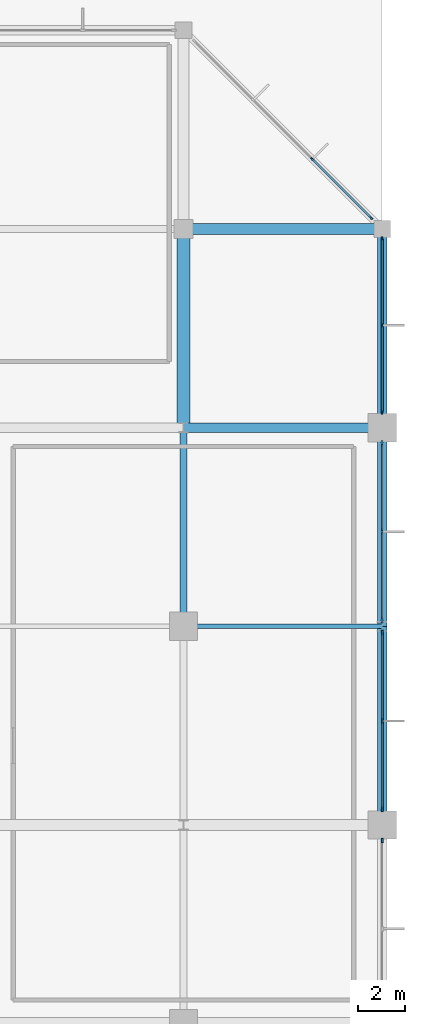
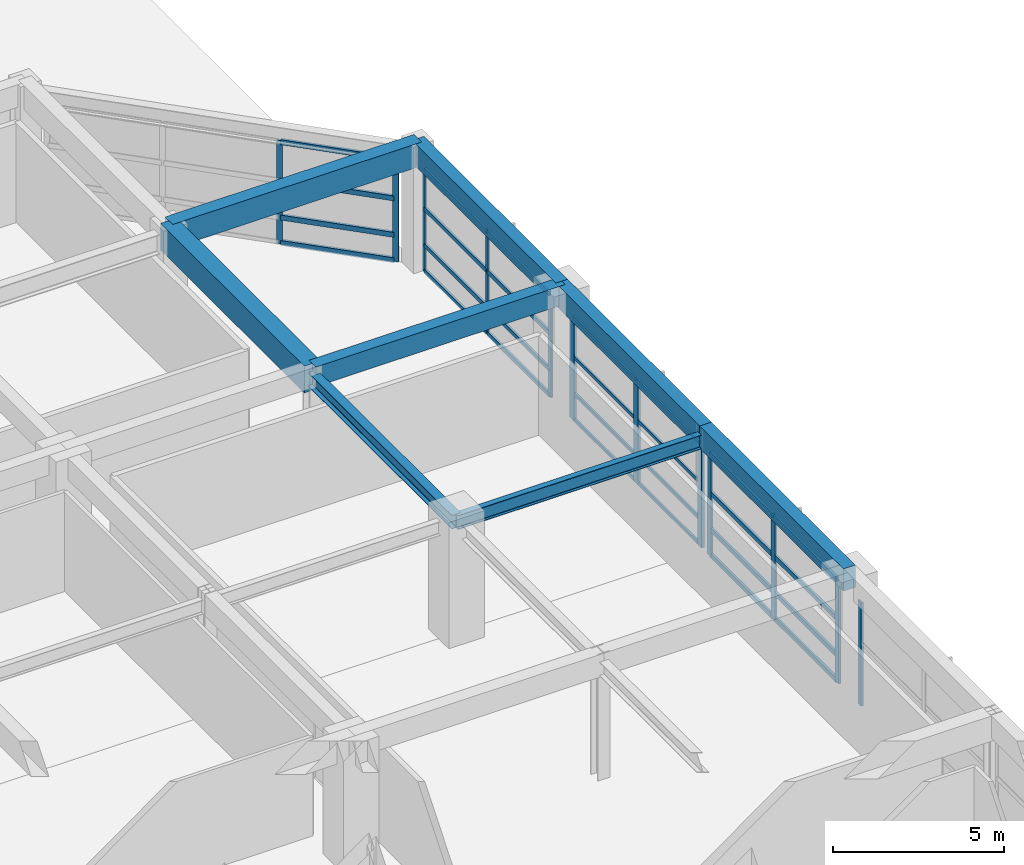
# One storey, part 33 of 60: 40 members, 8 beams, 5 elements without a shape of their own.
"""IFC4 building model written with IfcOpenShell, lengths in metres."""

from ifc_helpers import new_model, si_unit, direction, frame, origin, origin_2d, place, context, subcontext, project, spatial, rectangle, i_section, extrude, material, material_profile, profile_set, type_object, element, aggregate, save


model = new_model("IFC4")

# Units and contexts
model_context = context("Model", 3, precision=1e-05, world=origin(), true_north=direction((0.0, 1.0)))
body_context = subcontext(model_context, "Body", "Model", "MODEL_VIEW")
ifc_project = project(units=[si_unit("LENGTHUNIT", "METRE"), si_unit("AREAUNIT", "SQUARE_METRE"), si_unit("VOLUMEUNIT", "CUBIC_METRE"), si_unit("PLANEANGLEUNIT", "RADIAN"), si_unit("MASSUNIT", "GRAM", prefix="KILO")], contexts=[model_context])

# Site, building, storey
site_placement = place(None, origin())
site = spatial("IfcSite", under=ifc_project, at=site_placement, CompositionType="ELEMENT")
building_placement = place(site_placement, origin())
building = spatial("IfcBuilding", under=site, at=building_placement, Name="Xuanlan Plaza Opera House", CompositionType="ELEMENT")
storey_placement = place(building_placement, frame((0.0, 0.0, 9.89990234375)))
storey = spatial("IfcBuildingStorey", under=building, at=storey_placement, Name="L02", CompositionType="ELEMENT", Elevation=9.89990234375)

# Curtain wall, members
ifc_material_1 = material(Name="Anodised Aluminium 6063-T6 and Low-E Glass", Category="aluminium")
curtain_wall_type_1 = type_object("IfcCurtainWallType", Name="ENV-CW-CW-03", PredefinedType="USERDEFINED", material=ifc_material_1)
curtain_wall_1_placement = place(storey_placement, origin())
curtain_wall_1 = element("IfcCurtainWall", 1, at=curtain_wall_1_placement, inside=storey, type_object=curtain_wall_type_1, Name="Unitised Curtain Wall L02-027", ObjectType="UNITISED CURTAIN WALL", PredefinedType="USERDEFINED")
ifc_material_2 = material(Name="Anodised Aluminium 6063-T6", Category="aluminium")
ifc_material_profile_1 = material_profile(ifc_material_2, rectangle(XDim=0.06494140625, YDim=0.159912109375, at=origin_2d()), Name="ALU-M 65x160")
ifc_profile_set_1 = profile_set([ifc_material_profile_1], Name="Anodised Aluminium 6063-T6")
member_type_1 = type_object("IfcMemberType", Name="ENV-CWM-01", PredefinedType="MULLION", material=ifc_profile_set_1)
member_1_placement = place(storey_placement, frame((168.0, 84.652587890625, 0.0), z_axis=(0.0, 0.0, 1.0), x_axis=(-1.0, 0.0, 0.0)))
member_1 = element("IfcMember", 2, at=member_1_placement, type_object=member_type_1, Name="CW-03 mullion 1", PredefinedType="MULLION", context=body_context, shape_type="SweptSolid", body=[
    extrude(rectangle(XDim=0.06494140625, YDim=0.159912109375, at=origin_2d()), origin(), (0.0, 0.0, 1.0), 3.68017578125),
])
member_2_placement = place(storey_placement, frame((168.0, 88.324951171875, 0.0), z_axis=(0.0, 0.0, 1.0), x_axis=(-1.0, 0.0, 0.0)))
member_2 = element("IfcMember", 3, at=member_2_placement, type_object=member_type_1, Name="CW-03 mullion 2", PredefinedType="MULLION", context=body_context, shape_type="SweptSolid", body=[
    extrude(rectangle(XDim=0.06494140625, YDim=0.159912109375, at=origin_2d()), origin(), (0.0, 0.0, 1.0), 3.68017578125),
])
member_3_placement = place(storey_placement, frame((168.0, 91.99755859375, 0.0), z_axis=(0.0, 0.0, 1.0), x_axis=(-1.0, 0.0, 0.0)))
member_3 = element("IfcMember", 4, at=member_3_placement, type_object=member_type_1, Name="CW-03 mullion 3", PredefinedType="MULLION", context=body_context, shape_type="SweptSolid", body=[
    extrude(rectangle(XDim=0.06494140625, YDim=0.159912109375, at=origin_2d()), origin(), (0.0, 0.0, 1.0), 3.68017578125),
])

curtain_wall_type_2 = type_object("IfcCurtainWallType", Name="ENV-CW-CW-04", PredefinedType="USERDEFINED", material=ifc_material_1)
curtain_wall_2_placement = place(storey_placement, origin())
curtain_wall_2 = element("IfcCurtainWall", 5, at=curtain_wall_2_placement, inside=storey, type_object=curtain_wall_type_2, Name="Unitised Curtain Wall L02-028", ObjectType="UNITISED CURTAIN WALL", PredefinedType="USERDEFINED")
ifc_material_profile_2 = material_profile(ifc_material_2, rectangle(XDim=0.070068359375, YDim=0.179931640625, at=origin_2d()), Name="ALU-M 70x180")
ifc_profile_set_2 = profile_set([ifc_material_profile_2], Name="Anodised Aluminium 6063-T6")
member_type_2 = type_object("IfcMemberType", Name="ENV-CWM-02", PredefinedType="MULLION", material=ifc_profile_set_2)
member_4_placement = place(storey_placement, frame((167.5263671875, 92.873779296875, 0.0), z_axis=(0.0, 0.0, 1.0), x_axis=(-0.707106781187, -0.707106781187, 0.0)))
member_4 = element("IfcMember", 6, at=member_4_placement, type_object=member_type_2, Name="CW-04 mullion 1", PredefinedType="MULLION", context=body_context, shape_type="SweptSolid", body=[
    extrude(rectangle(XDim=0.070068359375, YDim=0.179931640625, at=origin_2d()), origin(), (0.0, 0.0, 1.0), 3.68017578125),
])
member_5_placement = place(storey_placement, frame((165.05029296875, 95.349609375, 0.0), z_axis=(0.0, 0.0, 1.0), x_axis=(-0.707106781187, -0.707106781187, 0.0)))
member_5 = element("IfcMember", 7, at=member_5_placement, type_object=member_type_2, Name="CW-04 mullion 2", PredefinedType="MULLION", context=body_context, shape_type="SweptSolid", body=[
    extrude(rectangle(XDim=0.070068359375, YDim=0.179931640625, at=origin_2d()), origin(), (0.0, 0.0, 1.0), 3.68017578125),
])

# Curtain wall, member
curtain_wall_3_placement = place(storey_placement, origin())
curtain_wall_3 = element("IfcCurtainWall", 8, at=curtain_wall_3_placement, inside=storey, type_object=curtain_wall_type_2, Name="Unitised Curtain Wall L02-024", ObjectType="UNITISED CURTAIN WALL", PredefinedType="USERDEFINED")
ifc_material_profile_3 = material_profile(ifc_material_2, rectangle(XDim=0.074951171875, YDim=0.199951171875, at=origin_2d()), Name="ALU-M 75x200")
ifc_profile_set_3 = profile_set([ifc_material_profile_3], Name="Anodised Aluminium 6063-T6")
member_type_3 = type_object("IfcMemberType", Name="ENV-CWM-03", PredefinedType="MULLION", material=ifc_profile_set_3)
member_6_placement = place(storey_placement, frame((168.0, 66.54248046875, 0.0), z_axis=(0.0, 0.0, 1.0), x_axis=(-1.0, 0.0, 0.0)))
member_6 = element("IfcMember", 9, at=member_6_placement, type_object=member_type_3, Name="CW-04 mullion 3", PredefinedType="MULLION", context=body_context, shape_type="SweptSolid", body=[
    extrude(rectangle(XDim=0.074951171875, YDim=0.199951171875, at=origin_2d()), origin(), (0.0, 0.0, 1.0), 3.68017578125),
])
aggregate(curtain_wall_3, [member_6])

# Curtain wall, members
curtain_wall_type_3 = type_object("IfcCurtainWallType", Name="ENV-CW-CW-01", PredefinedType="USERDEFINED", material=ifc_material_1)
curtain_wall_4_placement = place(storey_placement, origin())
curtain_wall_4 = element("IfcCurtainWall", 10, at=curtain_wall_4_placement, inside=storey, type_object=curtain_wall_type_3, Name="Unitised Curtain Wall L02-025", ObjectType="UNITISED CURTAIN WALL", PredefinedType="USERDEFINED")
ifc_material_profile_4 = material_profile(ifc_material_2, rectangle(XDim=0.080078125, YDim=0.219970703125, at=origin_2d()), Name="ALU-M 80x220")
ifc_profile_set_4 = profile_set([ifc_material_profile_4], Name="Anodised Aluminium 6063-T6")
member_type_4 = type_object("IfcMemberType", Name="ENV-CWM-04", PredefinedType="MULLION", material=ifc_profile_set_4)
member_7_placement = place(storey_placement, frame((168.0, 67.860107421875, 0.0), z_axis=(0.0, 0.0, 1.0), x_axis=(-1.0, 0.0, 0.0)))
member_7 = element("IfcMember", 11, at=member_7_placement, type_object=member_type_4, Name="CW-01 mullion 1", PredefinedType="MULLION", context=body_context, shape_type="SweptSolid", body=[
    extrude(rectangle(XDim=0.080078125, YDim=0.219970703125, at=origin_2d()), origin(), (0.0, 0.0, 1.0), 3.68017578125),
])
member_8_placement = place(storey_placement, frame((168.0, 71.596435546875, 0.0), z_axis=(0.0, 0.0, 1.0), x_axis=(-1.0, 0.0, 0.0)))
member_8 = element("IfcMember", 12, at=member_8_placement, type_object=member_type_4, Name="CW-01 mullion 2", PredefinedType="MULLION", context=body_context, shape_type="SweptSolid", body=[
    extrude(rectangle(XDim=0.080078125, YDim=0.219970703125, at=origin_2d()), origin(), (0.0, 0.0, 1.0), 3.68017578125),
])
member_9_placement = place(storey_placement, frame((168.0, 75.3330078125, 0.0), z_axis=(0.0, 0.0, 1.0), x_axis=(-1.0, 0.0, 0.0)))
member_9 = element("IfcMember", 13, at=member_9_placement, type_object=member_type_4, Name="CW-01 mullion 3", PredefinedType="MULLION", context=body_context, shape_type="SweptSolid", body=[
    extrude(rectangle(XDim=0.080078125, YDim=0.219970703125, at=origin_2d()), origin(), (0.0, 0.0, 1.0), 3.68017578125),
])

curtain_wall_type_4 = type_object("IfcCurtainWallType", Name="ENV-CW-CW-02", PredefinedType="USERDEFINED", material=ifc_material_1)
curtain_wall_5_placement = place(storey_placement, origin())
curtain_wall_5 = element("IfcCurtainWall", 14, at=curtain_wall_5_placement, inside=storey, type_object=curtain_wall_type_4, Name="Unitised Curtain Wall L02-026", ObjectType="UNITISED CURTAIN WALL", PredefinedType="USERDEFINED")
ifc_material_profile_5 = material_profile(ifc_material_2, rectangle(XDim=0.090087890625, YDim=0.25, at=origin_2d()), Name="ALU-M 90x250")
ifc_profile_set_5 = profile_set([ifc_material_profile_5], Name="Anodised Aluminium 6063-T6")
member_type_5 = type_object("IfcMemberType", Name="ENV-CWM-05", PredefinedType="MULLION", material=ifc_profile_set_5)
member_10_placement = place(storey_placement, frame((168.0, 75.8720703125, 0.0), z_axis=(0.0, 0.0, 1.0), x_axis=(-1.0, 0.0, 0.0)))
member_10 = element("IfcMember", 15, at=member_10_placement, type_object=member_type_5, Name="CW-02 mullion 1", PredefinedType="MULLION", context=body_context, shape_type="SweptSolid", body=[
    extrude(rectangle(XDim=0.090087890625, YDim=0.25, at=origin_2d()), origin(), (0.0, 0.0, 1.0), 3.68017578125),
])
member_11_placement = place(storey_placement, frame((168.0, 79.603515625, 0.0), z_axis=(0.0, 0.0, 1.0), x_axis=(-1.0, 0.0, 0.0)))
member_11 = element("IfcMember", 16, at=member_11_placement, type_object=member_type_5, Name="CW-02 mullion 2", PredefinedType="MULLION", context=body_context, shape_type="SweptSolid", body=[
    extrude(rectangle(XDim=0.090087890625, YDim=0.25, at=origin_2d()), origin(), (0.0, 0.0, 1.0), 3.68017578125),
])
member_12_placement = place(storey_placement, frame((168.0, 83.3349609375, 0.0), z_axis=(0.0, 0.0, 1.0), x_axis=(-1.0, 0.0, 0.0)))
member_12 = element("IfcMember", 17, at=member_12_placement, type_object=member_type_5, Name="CW-02 mullion 3", PredefinedType="MULLION", context=body_context, shape_type="SweptSolid", body=[
    extrude(rectangle(XDim=0.090087890625, YDim=0.25, at=origin_2d()), origin(), (0.0, 0.0, 1.0), 3.68017578125),
])
ifc_material_profile_6 = material_profile(ifc_material_2, rectangle(XDim=0.06494140625, YDim=0.1201171875, at=origin_2d()), Name="ALU-T 65x120")
ifc_profile_set_6 = profile_set([ifc_material_profile_6], Name="Anodised Aluminium 6063-T6")
member_type_6 = type_object("IfcMemberType", Name="ENV-CWT-01", PredefinedType="USERDEFINED", material=ifc_profile_set_6)
member_13_placement = place(storey_placement, frame((168.0, 75.9169921875, 0.03271484375), z_axis=(0.0, 1.0, 0.0), x_axis=(-1.0, 0.0, 0.0)))
member_13 = element("IfcMember", 18, at=member_13_placement, type_object=member_type_6, Name="CW-02 transom 1.1", ObjectType="TRANSOM", PredefinedType="USERDEFINED", context=body_context, shape_type="SweptSolid", body=[
    extrude(rectangle(XDim=0.06494140625, YDim=0.1201171875, at=origin_2d()), origin(), (0.0, 0.0, 1.0), 3.6416015625),
])
member_14_placement = place(storey_placement, frame((168.0, 75.9169921875, 0.9501953125), z_axis=(0.0, 1.0, 0.0), x_axis=(-1.0, 0.0, 0.0)))
member_14 = element("IfcMember", 19, at=member_14_placement, type_object=member_type_6, Name="CW-02 transom 1.2", ObjectType="TRANSOM", PredefinedType="USERDEFINED", context=body_context, shape_type="SweptSolid", body=[
    extrude(rectangle(XDim=0.06494140625, YDim=0.1201171875, at=origin_2d()), origin(), (0.0, 0.0, 1.0), 3.6416015625),
])
member_15_placement = place(storey_placement, frame((168.0, 75.9169921875, 2.25), z_axis=(0.0, 1.0, 0.0), x_axis=(-1.0, 0.0, 0.0)))
member_15 = element("IfcMember", 20, at=member_15_placement, type_object=member_type_6, Name="CW-02 transom 1.3", ObjectType="TRANSOM", PredefinedType="USERDEFINED", context=body_context, shape_type="SweptSolid", body=[
    extrude(rectangle(XDim=0.06494140625, YDim=0.1201171875, at=origin_2d()), origin(), (0.0, 0.0, 1.0), 3.6416015625),
])
member_16_placement = place(storey_placement, frame((168.0, 75.9169921875, 3.647705078125), z_axis=(0.0, 1.0, 0.0), x_axis=(-1.0, 0.0, 0.0)))
member_16 = element("IfcMember", 21, at=member_16_placement, type_object=member_type_6, Name="CW-02 transom 1.4", ObjectType="TRANSOM", PredefinedType="USERDEFINED", context=body_context, shape_type="SweptSolid", body=[
    extrude(rectangle(XDim=0.06494140625, YDim=0.1201171875, at=origin_2d()), origin(), (0.0, 0.0, 1.0), 3.6416015625),
])
member_17_placement = place(storey_placement, frame((168.0, 79.6484375, 0.03271484375), z_axis=(0.0, 1.0, 0.0), x_axis=(-1.0, 0.0, 0.0)))
member_17 = element("IfcMember", 22, at=member_17_placement, type_object=member_type_6, Name="CW-02 transom 2.1", ObjectType="TRANSOM", PredefinedType="USERDEFINED", context=body_context, shape_type="SweptSolid", body=[
    extrude(rectangle(XDim=0.06494140625, YDim=0.1201171875, at=origin_2d()), origin(), (0.0, 0.0, 1.0), 3.6416015625),
])
member_18_placement = place(storey_placement, frame((168.0, 79.6484375, 0.9501953125), z_axis=(0.0, 1.0, 0.0), x_axis=(-1.0, 0.0, 0.0)))
member_18 = element("IfcMember", 23, at=member_18_placement, type_object=member_type_6, Name="CW-02 transom 2.2", ObjectType="TRANSOM", PredefinedType="USERDEFINED", context=body_context, shape_type="SweptSolid", body=[
    extrude(rectangle(XDim=0.06494140625, YDim=0.1201171875, at=origin_2d()), origin(), (0.0, 0.0, 1.0), 3.6416015625),
])
member_19_placement = place(storey_placement, frame((168.0, 79.6484375, 2.25), z_axis=(0.0, 1.0, 0.0), x_axis=(-1.0, 0.0, 0.0)))
member_19 = element("IfcMember", 24, at=member_19_placement, type_object=member_type_6, Name="CW-02 transom 2.3", ObjectType="TRANSOM", PredefinedType="USERDEFINED", context=body_context, shape_type="SweptSolid", body=[
    extrude(rectangle(XDim=0.06494140625, YDim=0.1201171875, at=origin_2d()), origin(), (0.0, 0.0, 1.0), 3.6416015625),
])
member_20_placement = place(storey_placement, frame((168.0, 79.6484375, 3.647705078125), z_axis=(0.0, 1.0, 0.0), x_axis=(-1.0, 0.0, 0.0)))
member_20 = element("IfcMember", 25, at=member_20_placement, type_object=member_type_6, Name="CW-02 transom 2.4", ObjectType="TRANSOM", PredefinedType="USERDEFINED", context=body_context, shape_type="SweptSolid", body=[
    extrude(rectangle(XDim=0.06494140625, YDim=0.1201171875, at=origin_2d()), origin(), (0.0, 0.0, 1.0), 3.6416015625),
])
aggregate(curtain_wall_5, [member_10, member_11, member_12, member_13, member_14, member_15, member_16, member_17, member_18, member_19, member_20])

# Member
ifc_material_profile_7 = material_profile(ifc_material_2, rectangle(XDim=0.074951171875, YDim=0.14990234375, at=origin_2d()), Name="ALU-T 75x150")
ifc_profile_set_7 = profile_set([ifc_material_profile_7], Name="Anodised Aluminium 6063-T6")
member_type_7 = type_object("IfcMemberType", Name="ENV-CWT-03", PredefinedType="USERDEFINED", material=ifc_profile_set_7)
member_21_placement = place(storey_placement, frame((168.0, 84.68505859375, 0.03759765625), z_axis=(0.0, 1.0, 0.0), x_axis=(-1.0, 0.0, 0.0)))
member_21 = element("IfcMember", 26, at=member_21_placement, type_object=member_type_7, Name="CW-03 transom 1.1", ObjectType="TRANSOM", PredefinedType="USERDEFINED", context=body_context, shape_type="SweptSolid", body=[
    extrude(rectangle(XDim=0.074951171875, YDim=0.14990234375, at=origin_2d()), origin(), (0.0, 0.0, 1.0), 3.607421875),
])

member_22_placement = place(storey_placement, frame((168.0, 84.68505859375, 0.9501953125), z_axis=(0.0, 1.0, 0.0), x_axis=(-1.0, 0.0, 0.0)))
member_22 = element("IfcMember", 27, at=member_22_placement, type_object=member_type_7, Name="CW-03 transom 1.2", ObjectType="TRANSOM", PredefinedType="USERDEFINED", context=body_context, shape_type="SweptSolid", body=[
    extrude(rectangle(XDim=0.074951171875, YDim=0.14990234375, at=origin_2d()), origin(), (0.0, 0.0, 1.0), 3.607421875),
])

member_23_placement = place(storey_placement, frame((168.0, 84.68505859375, 2.25), z_axis=(0.0, 1.0, 0.0), x_axis=(-1.0, 0.0, 0.0)))
member_23 = element("IfcMember", 28, at=member_23_placement, type_object=member_type_7, Name="CW-03 transom 1.3", ObjectType="TRANSOM", PredefinedType="USERDEFINED", context=body_context, shape_type="SweptSolid", body=[
    extrude(rectangle(XDim=0.074951171875, YDim=0.14990234375, at=origin_2d()), origin(), (0.0, 0.0, 1.0), 3.607421875),
])

member_24_placement = place(storey_placement, frame((168.0, 84.68505859375, 3.642578125), z_axis=(0.0, 1.0, 0.0), x_axis=(-1.0, 0.0, 0.0)))
member_24 = element("IfcMember", 29, at=member_24_placement, type_object=member_type_7, Name="CW-03 transom 1.4", ObjectType="TRANSOM", PredefinedType="USERDEFINED", context=body_context, shape_type="SweptSolid", body=[
    extrude(rectangle(XDim=0.074951171875, YDim=0.14990234375, at=origin_2d()), origin(), (0.0, 0.0, 1.0), 3.607421875),
])

member_25_placement = place(storey_placement, frame((168.0, 88.357421875, 0.03759765625), z_axis=(0.0, 1.0, 0.0), x_axis=(-1.0, 0.0, 0.0)))
member_25 = element("IfcMember", 30, at=member_25_placement, type_object=member_type_7, Name="CW-03 transom 2.1", ObjectType="TRANSOM", PredefinedType="USERDEFINED", context=body_context, shape_type="SweptSolid", body=[
    extrude(rectangle(XDim=0.074951171875, YDim=0.14990234375, at=origin_2d()), origin(), (0.0, 0.0, 1.0), 3.607666015625),
])

member_26_placement = place(storey_placement, frame((168.0, 88.357421875, 0.9501953125), z_axis=(0.0, 1.0, 0.0), x_axis=(-1.0, 0.0, 0.0)))
member_26 = element("IfcMember", 31, at=member_26_placement, type_object=member_type_7, Name="CW-03 transom 2.2", ObjectType="TRANSOM", PredefinedType="USERDEFINED", context=body_context, shape_type="SweptSolid", body=[
    extrude(rectangle(XDim=0.074951171875, YDim=0.14990234375, at=origin_2d()), origin(), (0.0, 0.0, 1.0), 3.607666015625),
])

member_27_placement = place(storey_placement, frame((168.0, 88.357421875, 2.25), z_axis=(0.0, 1.0, 0.0), x_axis=(-1.0, 0.0, 0.0)))
member_27 = element("IfcMember", 32, at=member_27_placement, type_object=member_type_7, Name="CW-03 transom 2.3", ObjectType="TRANSOM", PredefinedType="USERDEFINED", context=body_context, shape_type="SweptSolid", body=[
    extrude(rectangle(XDim=0.074951171875, YDim=0.14990234375, at=origin_2d()), origin(), (0.0, 0.0, 1.0), 3.607666015625),
])

member_28_placement = place(storey_placement, frame((168.0, 88.357421875, 3.642578125), z_axis=(0.0, 1.0, 0.0), x_axis=(-1.0, 0.0, 0.0)))
member_28 = element("IfcMember", 33, at=member_28_placement, type_object=member_type_7, Name="CW-03 transom 2.4", ObjectType="TRANSOM", PredefinedType="USERDEFINED", context=body_context, shape_type="SweptSolid", body=[
    extrude(rectangle(XDim=0.074951171875, YDim=0.14990234375, at=origin_2d()), origin(), (0.0, 0.0, 1.0), 3.607666015625),
])

aggregate(curtain_wall_1, [member_1, member_2, member_3, member_21, member_22, member_23, member_24, member_25, member_26, member_27, member_28])

ifc_material_profile_8 = material_profile(ifc_material_2, rectangle(XDim=0.080078125, YDim=0.1650390625, at=origin_2d()), Name="ALU-T 80x165")
ifc_profile_set_8 = profile_set([ifc_material_profile_8], Name="Anodised Aluminium 6063-T6")
member_type_8 = type_object("IfcMemberType", Name="ENV-CWT-04", PredefinedType="USERDEFINED", material=ifc_profile_set_8)
member_29_placement = place(storey_placement, frame((168.0, 67.89990234375, 0.0400390625), z_axis=(0.0, 1.0, 0.0), x_axis=(-1.0, 0.0, 0.0)))
member_29 = element("IfcMember", 34, at=member_29_placement, type_object=member_type_8, Name="CW-01 transom 1.1", ObjectType="TRANSOM", PredefinedType="USERDEFINED", context=body_context, shape_type="SweptSolid", body=[
    extrude(rectangle(XDim=0.080078125, YDim=0.1650390625, at=origin_2d()), origin(), (0.0, 0.0, 1.0), 3.656494140625),
])

member_30_placement = place(storey_placement, frame((168.0, 67.89990234375, 0.9501953125), z_axis=(0.0, 1.0, 0.0), x_axis=(-1.0, 0.0, 0.0)))
member_30 = element("IfcMember", 35, at=member_30_placement, type_object=member_type_8, Name="CW-01 transom 1.2", ObjectType="TRANSOM", PredefinedType="USERDEFINED", context=body_context, shape_type="SweptSolid", body=[
    extrude(rectangle(XDim=0.080078125, YDim=0.1650390625, at=origin_2d()), origin(), (0.0, 0.0, 1.0), 3.656494140625),
])

member_31_placement = place(storey_placement, frame((168.0, 67.89990234375, 2.25), z_axis=(0.0, 1.0, 0.0), x_axis=(-1.0, 0.0, 0.0)))
member_31 = element("IfcMember", 36, at=member_31_placement, type_object=member_type_8, Name="CW-01 transom 1.3", ObjectType="TRANSOM", PredefinedType="USERDEFINED", context=body_context, shape_type="SweptSolid", body=[
    extrude(rectangle(XDim=0.080078125, YDim=0.1650390625, at=origin_2d()), origin(), (0.0, 0.0, 1.0), 3.656494140625),
])

member_32_placement = place(storey_placement, frame((168.0, 67.89990234375, 3.64013671875), z_axis=(0.0, 1.0, 0.0), x_axis=(-1.0, 0.0, 0.0)))
member_32 = element("IfcMember", 37, at=member_32_placement, type_object=member_type_8, Name="CW-01 transom 1.4", ObjectType="TRANSOM", PredefinedType="USERDEFINED", context=body_context, shape_type="SweptSolid", body=[
    extrude(rectangle(XDim=0.080078125, YDim=0.1650390625, at=origin_2d()), origin(), (0.0, 0.0, 1.0), 3.656494140625),
])

member_33_placement = place(storey_placement, frame((168.0, 71.636474609375, 0.0400390625), z_axis=(0.0, 1.0, 0.0), x_axis=(-1.0, 0.0, 0.0)))
member_33 = element("IfcMember", 38, at=member_33_placement, type_object=member_type_8, Name="CW-01 transom 2.1", ObjectType="TRANSOM", PredefinedType="USERDEFINED", context=body_context, shape_type="SweptSolid", body=[
    extrude(rectangle(XDim=0.080078125, YDim=0.1650390625, at=origin_2d()), origin(), (0.0, 0.0, 1.0), 3.656494140625),
])

member_34_placement = place(storey_placement, frame((168.0, 71.636474609375, 0.9501953125), z_axis=(0.0, 1.0, 0.0), x_axis=(-1.0, 0.0, 0.0)))
member_34 = element("IfcMember", 39, at=member_34_placement, type_object=member_type_8, Name="CW-01 transom 2.2", ObjectType="TRANSOM", PredefinedType="USERDEFINED", context=body_context, shape_type="SweptSolid", body=[
    extrude(rectangle(XDim=0.080078125, YDim=0.1650390625, at=origin_2d()), origin(), (0.0, 0.0, 1.0), 3.656494140625),
])

member_35_placement = place(storey_placement, frame((168.0, 71.636474609375, 2.25), z_axis=(0.0, 1.0, 0.0), x_axis=(-1.0, 0.0, 0.0)))
member_35 = element("IfcMember", 40, at=member_35_placement, type_object=member_type_8, Name="CW-01 transom 2.3", ObjectType="TRANSOM", PredefinedType="USERDEFINED", context=body_context, shape_type="SweptSolid", body=[
    extrude(rectangle(XDim=0.080078125, YDim=0.1650390625, at=origin_2d()), origin(), (0.0, 0.0, 1.0), 3.656494140625),
])

member_36_placement = place(storey_placement, frame((168.0, 71.636474609375, 3.64013671875), z_axis=(0.0, 1.0, 0.0), x_axis=(-1.0, 0.0, 0.0)))
member_36 = element("IfcMember", 41, at=member_36_placement, type_object=member_type_8, Name="CW-01 transom 2.4", ObjectType="TRANSOM", PredefinedType="USERDEFINED", context=body_context, shape_type="SweptSolid", body=[
    extrude(rectangle(XDim=0.080078125, YDim=0.1650390625, at=origin_2d()), origin(), (0.0, 0.0, 1.0), 3.656494140625),
])

aggregate(curtain_wall_4, [member_7, member_8, member_9, member_29, member_30, member_31, member_32, member_33, member_34, member_35, member_36])

ifc_material_profile_9 = material_profile(ifc_material_2, rectangle(XDim=0.090087890625, YDim=0.179931640625, at=origin_2d()), Name="ALU-T 90x180")
ifc_profile_set_9 = profile_set([ifc_material_profile_9], Name="Anodised Aluminium 6063-T6")
member_type_9 = type_object("IfcMemberType", Name="ENV-CWT-05", PredefinedType="USERDEFINED", material=ifc_profile_set_9)
member_37_placement = place(storey_placement, frame((167.50146484375, 92.8984375, 0.045166015625), z_axis=(-0.707071206172, 0.707142354412, 0.0), x_axis=(-0.707142354412, -0.707071206172, 0.0)))
member_37 = element("IfcMember", 42, at=member_37_placement, type_object=member_type_9, Name="CW-04 transom 1.1", ObjectType="TRANSOM", PredefinedType="USERDEFINED", context=body_context, shape_type="SweptSolid", body=[
    extrude(rectangle(XDim=0.090087890625, YDim=0.179931640625, at=origin_2d()), origin(), (0.0, 0.0, 1.0), 3.431396484375),
])

member_38_placement = place(storey_placement, frame((167.50146484375, 92.8984375, 0.9501953125), z_axis=(-0.707071206172, 0.707142354412, 0.0), x_axis=(-0.707142354412, -0.707071206172, 0.0)))
member_38 = element("IfcMember", 43, at=member_38_placement, type_object=member_type_9, Name="CW-04 transom 1.2", ObjectType="TRANSOM", PredefinedType="USERDEFINED", context=body_context, shape_type="SweptSolid", body=[
    extrude(rectangle(XDim=0.090087890625, YDim=0.179931640625, at=origin_2d()), origin(), (0.0, 0.0, 1.0), 3.431396484375),
])

member_39_placement = place(storey_placement, frame((167.50146484375, 92.8984375, 2.25), z_axis=(-0.707071206172, 0.707142354412, 0.0), x_axis=(-0.707142354412, -0.707071206172, 0.0)))
member_39 = element("IfcMember", 44, at=member_39_placement, type_object=member_type_9, Name="CW-04 transom 1.3", ObjectType="TRANSOM", PredefinedType="USERDEFINED", context=body_context, shape_type="SweptSolid", body=[
    extrude(rectangle(XDim=0.090087890625, YDim=0.179931640625, at=origin_2d()), origin(), (0.0, 0.0, 1.0), 3.431396484375),
])

member_40_placement = place(storey_placement, frame((167.50146484375, 92.8984375, 3.635009765625), z_axis=(-0.707071206172, 0.707142354412, 0.0), x_axis=(-0.707142354412, -0.707071206172, 0.0)))
member_40 = element("IfcMember", 45, at=member_40_placement, type_object=member_type_9, Name="CW-04 transom 1.4", ObjectType="TRANSOM", PredefinedType="USERDEFINED", context=body_context, shape_type="SweptSolid", body=[
    extrude(rectangle(XDim=0.090087890625, YDim=0.179931640625, at=origin_2d()), origin(), (0.0, 0.0, 1.0), 3.431396484375),
])

aggregate(curtain_wall_2, [member_4, member_5, member_37, member_38, member_39, member_40])

# Beams
ifc_material_3 = material(Name="Concrete C50", Category="concrete")
ifc_material_profile_10 = material_profile(ifc_material_3, rectangle(XDim=0.550048828125, YDim=0.949951171875, at=origin_2d()), Name="RC-BM 550x950")
ifc_profile_set_10 = profile_set([ifc_material_profile_10], Name="Concrete C50")
beam_type_1 = type_object("IfcBeamType", Name="STR-BM-B-02", PredefinedType="BEAM", material=ifc_profile_set_10)
beam_1_placement = place(storey_placement, frame((159.60009765625, 84.0, 4.025146484375), z_axis=(0.0, 1.0, 0.0), x_axis=(-1.0, 0.0, 0.0)))
element("IfcBeam", 46, at=beam_1_placement, inside=storey, type_object=beam_type_1, Name="Grid Beam Y L02 20/K-L", PredefinedType="BEAM", context=body_context, shape_type="SweptSolid", body=[
    extrude(rectangle(XDim=0.550048828125, YDim=0.949951171875, at=origin_2d()), origin(), (0.0, 0.0, 1.0), 8.39990234375),
])
ifc_material_4 = material(Name="Concrete C40", Category="concrete")
ifc_material_profile_11 = material_profile(ifc_material_4, rectangle(XDim=0.449951171875, YDim=0.85009765625, at=origin_2d()), Name="RC-BM 450x850")
ifc_profile_set_11 = profile_set([ifc_material_profile_11], Name="Concrete C40")
beam_type_2 = type_object("IfcBeamType", Name="STR-BM-B-04", PredefinedType="BEAM", material=ifc_profile_set_11)
beam_2_placement = place(storey_placement, frame((159.60009765625, 92.39990234375, 4.0751953125), z_axis=(1.0, 0.0, 0.0), x_axis=(0.0, 1.0, 0.0)))
element("IfcBeam", 47, at=beam_2_placement, inside=storey, type_object=beam_type_2, Name="Grid Beam X L02 20-21/L", PredefinedType="BEAM", context=body_context, shape_type="SweptSolid", body=[
    extrude(rectangle(XDim=0.449951171875, YDim=0.85009765625, at=origin_2d()), origin(), (0.0, 0.0, 1.0), 8.39990234375),
])
ifc_material_profile_12 = material_profile(ifc_material_4, rectangle(XDim=0.39990234375, YDim=0.699951171875, at=origin_2d()), Name="RC-BM 400x700")
ifc_profile_set_12 = profile_set([ifc_material_profile_12], Name="Concrete C40")
beam_type_3 = type_object("IfcBeamType", Name="STR-BM-B-07", PredefinedType="BEAM", material=ifc_profile_set_12)
beam_3_placement = place(storey_placement, frame((159.60009765625, 84.0, 4.150146484375), z_axis=(1.0, 0.0, 0.0), x_axis=(0.0, 1.0, 0.0)))
element("IfcBeam", 48, at=beam_3_placement, inside=storey, type_object=beam_type_3, Name="Grid Beam X L02 20-21/K", PredefinedType="BEAM", context=body_context, shape_type="SweptSolid", body=[
    extrude(rectangle(XDim=0.39990234375, YDim=0.699951171875, at=origin_2d()), origin(), (0.0, 0.0, 1.0), 8.39990234375),
])
ifc_material_5 = material(Name="Steel Q355B", Category="steel")
ifc_material_profile_13 = material_profile(ifc_material_5, i_section(OverallWidth=0.199951171875, OverallDepth=0.5, WebThickness=0.010009765625, FlangeThickness=0.01611328125, FilletRadius=0.02001953125, at=origin_2d()), Name="HN 500x200x10x16")
ifc_profile_set_13 = profile_set([ifc_material_profile_13], Name="Steel Q355B")
beam_type_4 = type_object("IfcBeamType", Name="STR-BM-SB-05", PredefinedType="BEAM", material=ifc_profile_set_13)
beam_4_placement = place(storey_placement, frame((159.60009765625, 75.60009765625, 3.985107421875), z_axis=(1.0, 0.0, 0.0), x_axis=(0.0, 1.0, 0.0)))
element("IfcBeam", 49, at=beam_4_placement, inside=storey, type_object=beam_type_4, Name="Grid Beam X L02 20-21/J", PredefinedType="BEAM", context=body_context, shape_type="SweptSolid", body=[
    extrude(i_section(OverallWidth=0.199951171875, OverallDepth=0.5, WebThickness=0.010009765625, FlangeThickness=0.01611328125, FilletRadius=0.02001953125, at=origin_2d()), origin(), (0.0, 0.0, 1.0), 8.39990234375),
])
ifc_material_profile_14 = material_profile(ifc_material_5, i_section(OverallWidth=0.300048828125, OverallDepth=0.488037109375, WebThickness=0.010986328125, FlangeThickness=0.01806640625, FilletRadius=0.02197265625, at=origin_2d()), Name="HM 488x300x11x18")
ifc_profile_set_14 = profile_set([ifc_material_profile_14], Name="Steel Q355B")
beam_type_5 = type_object("IfcBeamType", Name="STR-BM-SB-07", PredefinedType="BEAM", material=ifc_profile_set_14)
beam_5_placement = place(storey_placement, frame((159.60009765625, 75.60009765625, 3.9912109375), z_axis=(0.0, 1.0, 0.0), x_axis=(-1.0, 0.0, 0.0)))
element("IfcBeam", 50, at=beam_5_placement, inside=storey, type_object=beam_type_5, Name="Grid Beam Y L02 20/J-K", PredefinedType="BEAM", context=body_context, shape_type="SweptSolid", body=[
    extrude(i_section(OverallWidth=0.300048828125, OverallDepth=0.488037109375, WebThickness=0.010986328125, FlangeThickness=0.01806640625, FilletRadius=0.02197265625, at=origin_2d()), origin(), (0.0, 0.0, 1.0), 8.39990234375),
])
ifc_material_profile_15 = material_profile(ifc_material_4, rectangle(XDim=0.39990234375, YDim=0.800048828125, at=origin_2d()), Name="RC-SPD 400x800")
ifc_profile_set_15 = profile_set([ifc_material_profile_15], Name="Concrete C40")
beam_type_6 = type_object("IfcBeamType", Name="STR-BM-SP-01", PredefinedType="SPANDREL", material=ifc_profile_set_15)
beam_6_placement = place(storey_placement, frame((168.0, 67.199951171875, 4.10009765625), z_axis=(0.0, 1.0, 0.0), x_axis=(-1.0, 0.0, 0.0)))
element("IfcBeam", 51, at=beam_6_placement, inside=storey, type_object=beam_type_6, Name="Grid Beam Y L02 21/I-J", PredefinedType="SPANDREL", context=body_context, shape_type="SweptSolid", body=[
    extrude(rectangle(XDim=0.39990234375, YDim=0.800048828125, at=origin_2d()), origin(), (0.0, 0.0, 1.0), 8.400146484375),
])
for number, where, z_axis, x_axis, name in (
    (52, (168.0, 75.60009765625, 4.10009765625), (0.0, 1.0, 0.0), (-1.0, 0.0, 0.0), "Grid Beam Y L02 21/J-K"),
    (53, (168.0, 84.0, 4.10009765625), (0.0, 1.0, 0.0), (-1.0, 0.0, 0.0), "Grid Beam Y L02 21/K-L"),
):
    element("IfcBeam", number, at=place(storey_placement, frame(where, z_axis=z_axis, x_axis=x_axis)), inside=storey, type_object=beam_type_6, Name=name, PredefinedType="SPANDREL", context=body_context, shape_type="SweptSolid", body=[
        extrude(rectangle(XDim=0.39990234375, YDim=0.800048828125, at=origin_2d()), origin(), (0.0, 0.0, 1.0), 8.39990234375),
    ])

save(model, "model.ifc")
